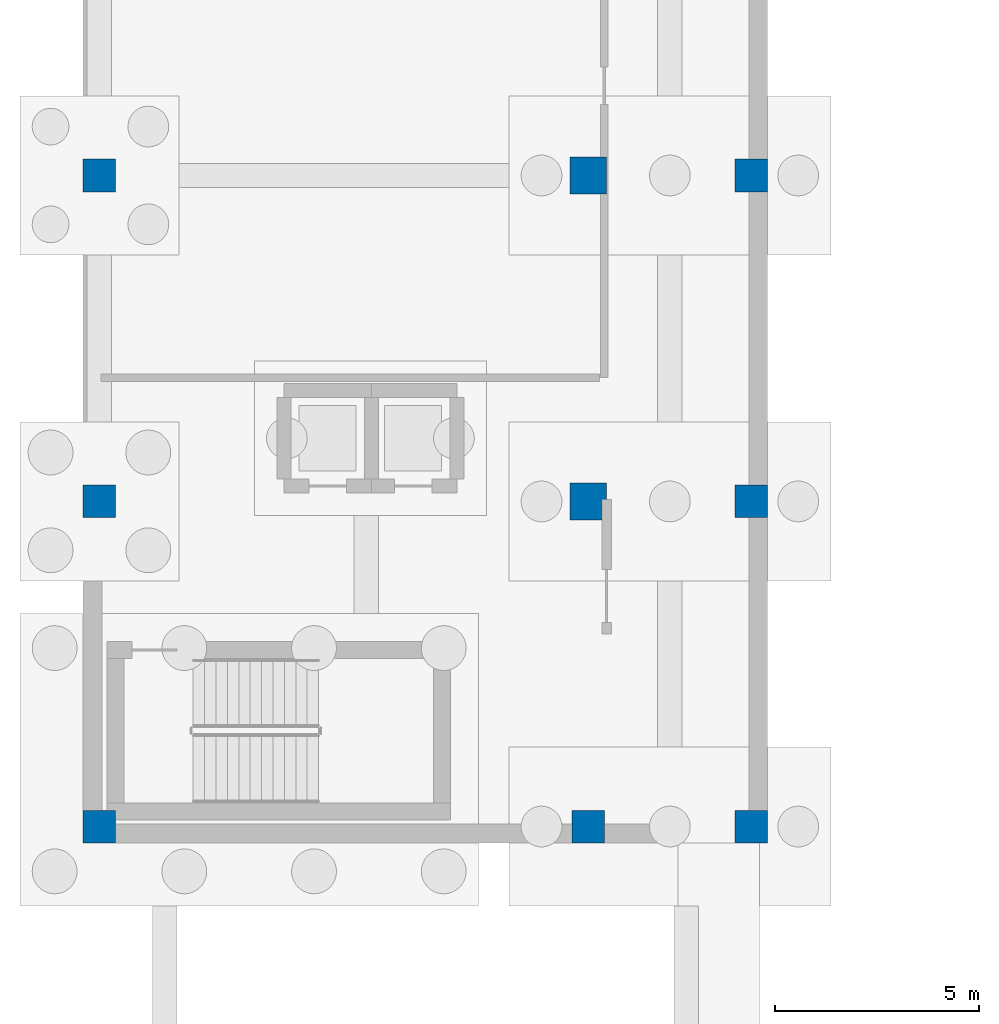
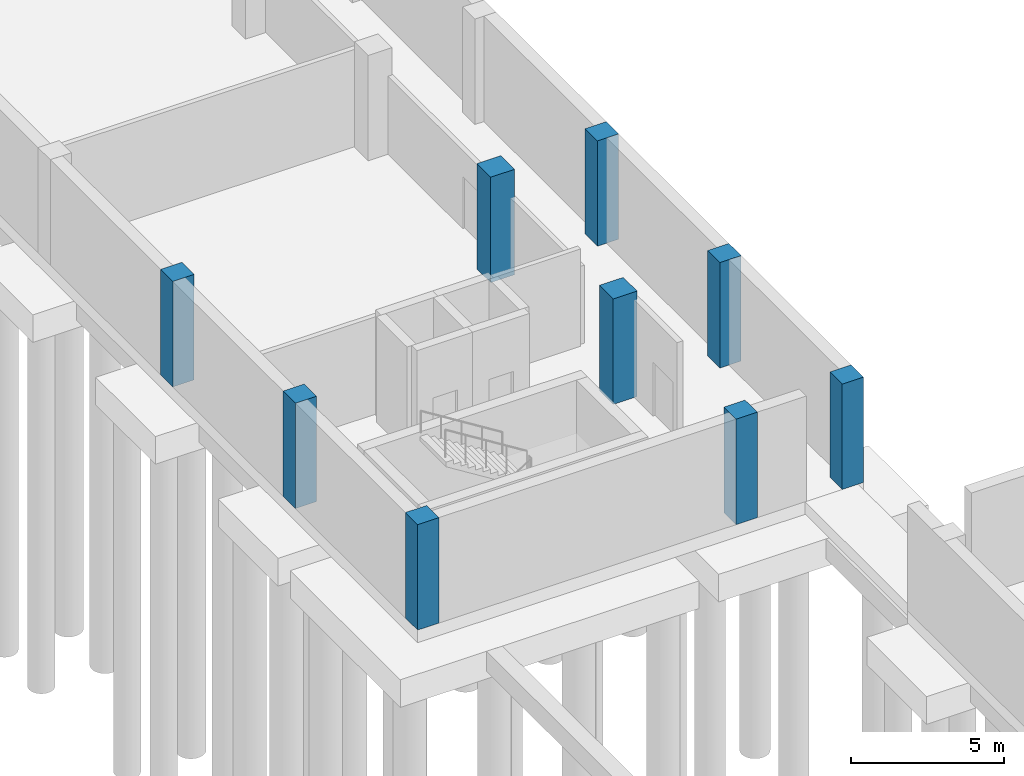
# One storey, part 9 of 31: 9 columns.
"""IFC4 building model written with IfcOpenShell, lengths in metres."""

from ifc_helpers import new_model, si_unit, direction, frame, origin, origin_2d, place, context, subcontext, project, spatial, rectangle, extrude, material, material_profile, profile_set, type_object, element, save


model = new_model("IFC4")

# Units and contexts
model_context = context("Model", 3, precision=1e-05, world=origin(), true_north=direction((0.0, 1.0)))
body_context = subcontext(model_context, "Body", "Model", "MODEL_VIEW")
ifc_project = project(units=[si_unit("LENGTHUNIT", "METRE"), si_unit("AREAUNIT", "SQUARE_METRE"), si_unit("VOLUMEUNIT", "CUBIC_METRE"), si_unit("PLANEANGLEUNIT", "RADIAN"), si_unit("MASSUNIT", "GRAM", prefix="KILO")], contexts=[model_context])

# Site, building, storey
site_placement = place(None, origin())
site = spatial("IfcSite", under=ifc_project, at=site_placement, CompositionType="ELEMENT")
building_placement = place(site_placement, origin())
building = spatial("IfcBuilding", under=site, at=building_placement, Name="Qalavern Law Courts", CompositionType="ELEMENT")
storey_placement = place(building_placement, frame((0.0, 0.0, -8.39990234375)))
storey = spatial("IfcBuildingStorey", under=building, at=storey_placement, Name="B2", CompositionType="ELEMENT", Elevation=-8.39990234375)

# Columns
ifc_material = material(Name="Concrete C45/55", Category="concrete")
ifc_material_profile_1 = material_profile(ifc_material, rectangle(XDim=0.800048828125, YDim=0.800048828125, at=origin_2d()), Name="RC 800x800")
ifc_profile_set_1 = profile_set([ifc_material_profile_1], Name="Concrete C45/55")
column_type_1 = type_object("IfcColumnType", Name="STR-COL-RC800E", PredefinedType="COLUMN", material=ifc_profile_set_1)
for number, where, z_axis, x_axis, name in (
    (1, (2.39990234375, 41.419921875, 0.0), (0.0, 0.0, 1.0), (1.0, 0.0, 0.0), "V3 column 1-1 B2"),
    (2, (2.39990234375, 49.39990234375, 0.0), (0.0, 0.0, 1.0), (1.0, 0.0, 0.0), "V3 column 1-2 B2"),
    (3, (2.39990234375, 57.39990234375, 0.0), (0.0, 0.0, 1.0), (1.0, 0.0, 0.0), "V3 column 1-3 B2"),
    (4, (14.39990234375, 41.419921875, 0.0), (0.0, 0.0, 1.0), (1.0, 0.0, 0.0), "V3 column 2-1 B2"),
    (5, (18.39990234375, 41.419921875, 0.0), (0.0, 0.0, 1.0), (1.0, 0.0, 0.0), "V3 column 3-1 B2"),
    (6, (18.39990234375, 49.39990234375, 0.0), (0.0, 0.0, 1.0), (1.0, 0.0, 0.0), "V3 column 3-2 B2"),
    (7, (18.39990234375, 57.39990234375, 0.0), (0.0, 0.0, 1.0), (1.0, 0.0, 0.0), "V3 column 3-3 B2"),
):
    element("IfcColumn", number, at=place(storey_placement, frame(where, z_axis=z_axis, x_axis=x_axis)), inside=storey, type_object=column_type_1, Name=name, PredefinedType="COLUMN", context=body_context, shape_type="SweptSolid", body=[
        extrude(rectangle(XDim=0.800048828125, YDim=0.800048828125, at=origin_2d()), origin(), (0.0, 0.0, 1.0), 4.199951171875),
    ])
ifc_material_profile_2 = material_profile(ifc_material, rectangle(XDim=0.89990234375, YDim=0.89990234375, at=origin_2d()), Name="RC 900x900")
ifc_profile_set_2 = profile_set([ifc_material_profile_2], Name="Concrete C45/55")
column_type_2 = type_object("IfcColumnType", Name="STR-COL-RC900", PredefinedType="COLUMN", material=ifc_profile_set_2)
for number, where, z_axis, x_axis, name in (
    (8, (14.39990234375, 49.39990234375, 0.0), (0.0, 0.0, 1.0), (1.0, 0.0, 0.0), "V3 column 2-2 B2"),
    (9, (14.39990234375, 57.39990234375, 0.0), (0.0, 0.0, 1.0), (1.0, 0.0, 0.0), "V3 column 2-3 B2"),
):
    element("IfcColumn", number, at=place(storey_placement, frame(where, z_axis=z_axis, x_axis=x_axis)), inside=storey, type_object=column_type_2, Name=name, PredefinedType="COLUMN", context=body_context, shape_type="SweptSolid", body=[
        extrude(rectangle(XDim=0.89990234375, YDim=0.89990234375, at=origin_2d()), origin(), (0.0, 0.0, 1.0), 4.199951171875),
    ])

save(model, "model.ifc")
